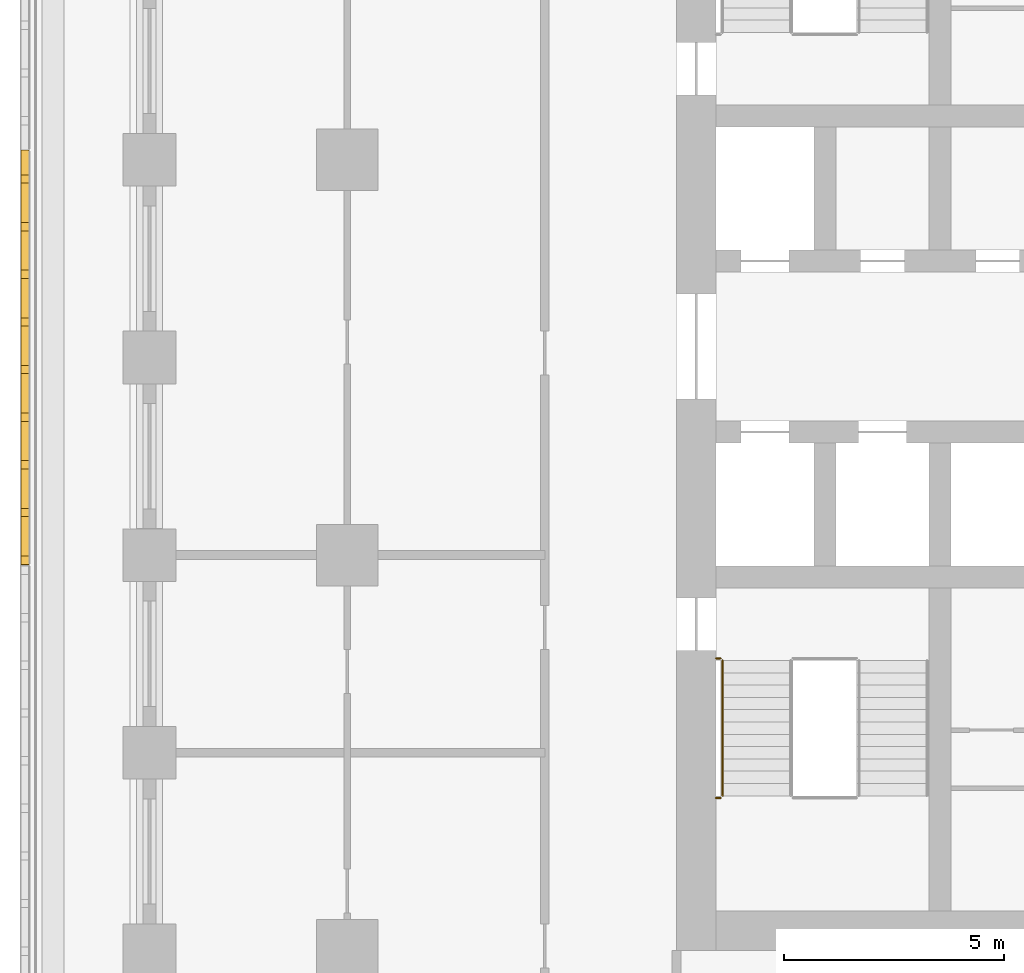
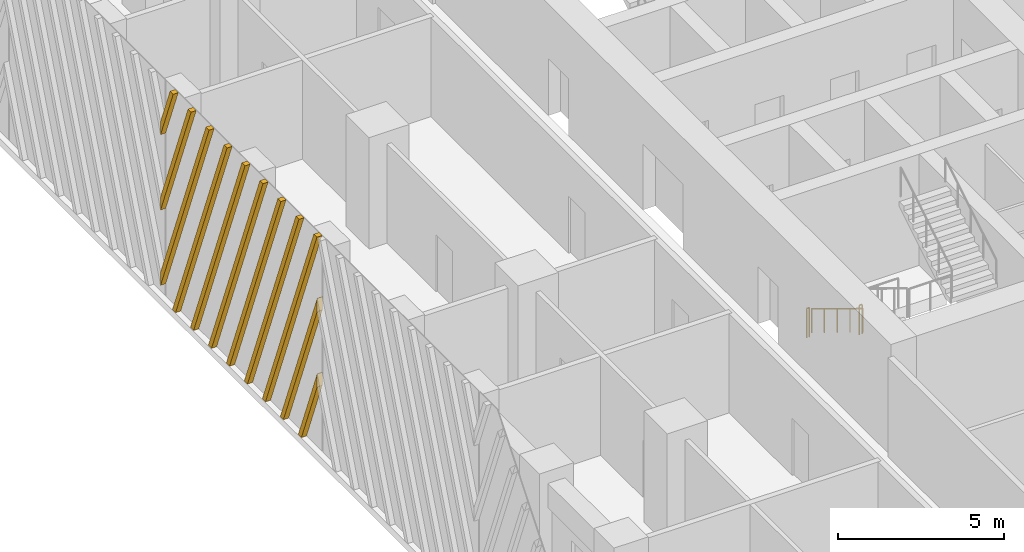
# One storey, part 12 of 20: 3 railings, 1 shading device.
"""IFC4 building model written with IfcOpenShell, lengths in metres."""

from ifc_helpers import new_model, si_unit, direction, frame, origin, origin_2d, place, context, subcontext, project, spatial, polyline, circle, outline, extrude, source, transform, mapped, material, type_object, element, save


model = new_model("IFC4")

# Units and contexts
model_context = context("Model", 3, precision=1e-05, world=origin(), true_north=direction((0.0, 1.0)))
body_context = subcontext(model_context, "Body", "Model", "MODEL_VIEW")
ifc_project = project(units=[si_unit("LENGTHUNIT", "METRE"), si_unit("AREAUNIT", "SQUARE_METRE"), si_unit("VOLUMEUNIT", "CUBIC_METRE"), si_unit("PLANEANGLEUNIT", "RADIAN"), si_unit("MASSUNIT", "GRAM", prefix="KILO")], contexts=[model_context])

# Site, building, storey
site_placement = place(None, origin())
site = spatial("IfcSite", under=ifc_project, at=site_placement, CompositionType="ELEMENT")
building_placement = place(site_placement, origin())
building = spatial("IfcBuilding", under=site, at=building_placement, Name="Corbel Stack Research Tower", CompositionType="ELEMENT")
storey_placement = place(building_placement, frame((0.0, 0.0, 98.39990234375)))
storey = spatial("IfcBuildingStorey", under=building, at=storey_placement, Name="L22", CompositionType="ELEMENT", Elevation=98.39990234375)

# Railings
ifc_material_1 = material(Name="Steel S355", Category="steel")
railing_type_1 = type_object("IfcRailingType", Name="Stair guard 1100", PredefinedType="GUARDRAIL", material=ifc_material_1)
for number, where, name in (
    (1, (-9.60009765625, -5.530029296875, 2.050048828125), "L22 ST-W1 stair guard 3"),
    (2, (-9.60009765625, -2.35009765625, 0.0), "L22 ST-W1 stair guard 6"),
):
    element("IfcRailing", number, at=place(storey_placement, frame(where)), inside=storey, type_object=railing_type_1, Name=name, PredefinedType="GUARDRAIL", context=body_context, shape_type="SweptSolid", body=[
        extrude(circle(Radius=0.02392578125, at=origin_2d()), frame((0.0, 0.0, 1.076171875), z_axis=(1.0, 0.0, 0.0), x_axis=(0.0, 1.0, 0.0)), (0.0, 0.0, 1.0), 0.10009765625),
        extrude(circle(Radius=0.02099609375, at=origin_2d()), origin(), (0.0, 0.0, 1.0), 1.052001953125),
        extrude(circle(Radius=0.02099609375, at=origin_2d()), frame((0.10009765625, 0.0, 0.0)), (0.0, 0.0, 1.0), 1.052001953125),
    ])
ifc_material_2 = material(Name="Steel S355", Category="steel")
railing_type_2 = type_object("IfcRailingType", Name="Stair handrail 900", PredefinedType="HANDRAIL", material=ifc_material_2)
railing_placement = place(storey_placement, frame((-9.449951171875, -2.39990234375, 0.1708984375)))
element("IfcRailing", 3, at=railing_placement, inside=storey, type_object=railing_type_2, Name="L22 ST-W1 stair handrail 1", PredefinedType="HANDRAIL", context=body_context, shape_type="SweptSolid", body=[
    extrude(circle(Radius=0.02392578125, at=origin_2d()), frame((0.0, 0.0, 0.8759765625), z_axis=(0.0, -0.853666305674, 0.52082035152), x_axis=(1.0, 0.0, 0.0)), (0.0, 0.0, 1.0), 3.608154296875),
    extrude(circle(Radius=0.02099609375, at=origin_2d()), origin(), (0.0, 0.0, 1.0), 0.851806640625),
    extrude(circle(Radius=0.02099609375, at=origin_2d()), frame((0.0, -0.77001953125, 0.4697265625)), (0.0, 0.0, 1.0), 0.851806640625),
    extrude(circle(Radius=0.02099609375, at=origin_2d()), frame((0.0, -1.5400390625, 0.939453125)), (0.0, 0.0, 1.0), 0.851806640625),
    extrude(circle(Radius=0.02099609375, at=origin_2d()), frame((0.0, -2.31005859375, 1.409423828125)), (0.0, 0.0, 1.0), 0.851806640625),
    extrude(circle(Radius=0.02099609375, at=origin_2d()), frame((0.0, -3.080078125, 1.879150390625)), (0.0, 0.0, 1.0), 0.851806640625),
])

# Shading device
ifc_material_3 = material(Name="Precast terracotta", Category="masonry")
shading_device_type = type_object("IfcShadingDeviceType", Name="Terracotta screen panel", PredefinedType="USERDEFINED", material=ifc_material_3)
shared_shape = source(origin(), body_context, "Body", "SweptSolid", [
    extrude(outline(polyline([(0.759521484375, 7.949951171875), (0.5693359375, 7.949951171875), (0.0, 6.4921875), (0.0, 6.005615234375), (0.759521484375, 7.949951171875)])), frame((0.0, 0.0, 0.0), z_axis=(0.0, -1.0, 0.0), x_axis=(1.0, 0.0, 0.0)), (0.0, 0.0, 1.0), 0.179931640625),
    extrude(outline(polyline([(1.843994140625, 7.949951171875), (1.654052734375, 7.949951171875), (0.0, 3.71484375), (0.0, 3.228515625), (1.843994140625, 7.949951171875)])), frame((0.0, 0.0, 0.0), z_axis=(0.0, -1.0, 0.0), x_axis=(1.0, 0.0, 0.0)), (0.0, 0.0, 1.0), 0.179931640625),
    extrude(outline(polyline([(2.9287109375, 7.949951171875), (2.73876953125, 7.949951171875), (0.0, 0.9375), (0.0, 0.451171875), (2.9287109375, 7.949951171875)])), frame((0.0, 0.0, 0.0), z_axis=(0.0, -1.0, 0.0), x_axis=(1.0, 0.0, 0.0)), (0.0, 0.0, 1.0), 0.179931640625),
    extrude(outline(polyline([(0.908447265625, 0.0), (4.013427734375, 7.949951171875), (3.823486328125, 7.949951171875), (0.718505859375, 0.0), (0.908447265625, 0.0)])), frame((0.0, 0.0, 0.0), z_axis=(0.0, -1.0, 0.0), x_axis=(1.0, 0.0, 0.0)), (0.0, 0.0, 1.0), 0.179931640625),
    extrude(outline(polyline([(1.9931640625, 0.0), (5.097900390625, 7.949951171875), (4.907958984375, 7.949951171875), (1.80322265625, 0.0), (1.9931640625, 0.0)])), frame((0.0, 0.0, 0.0), z_axis=(0.0, -1.0, 0.0), x_axis=(1.0, 0.0, 0.0)), (0.0, 0.0, 1.0), 0.179931640625),
    extrude(outline(polyline([(3.077880859375, 0.0), (6.1826171875, 7.949951171875), (5.99267578125, 7.949951171875), (2.8876953125, 0.0), (3.077880859375, 0.0)])), frame((0.0, 0.0, 0.0), z_axis=(0.0, -1.0, 0.0), x_axis=(1.0, 0.0, 0.0)), (0.0, 0.0, 1.0), 0.179931640625),
    extrude(outline(polyline([(4.16259765625, 0.0), (7.267333984375, 7.949951171875), (7.077392578125, 7.949951171875), (3.972412109375, 0.0), (4.16259765625, 0.0)])), frame((0.0, 0.0, 0.0), z_axis=(0.0, -1.0, 0.0), x_axis=(1.0, 0.0, 0.0)), (0.0, 0.0, 1.0), 0.179931640625),
    extrude(outline(polyline([(5.247314453125, 0.0), (8.35205078125, 7.949951171875), (8.162109375, 7.949951171875), (5.05712890625, 0.0), (5.247314453125, 0.0)])), frame((0.0, 0.0, 0.0), z_axis=(0.0, -1.0, 0.0), x_axis=(1.0, 0.0, 0.0)), (0.0, 0.0, 1.0), 0.179931640625),
    extrude(outline(polyline([(6.331787109375, 0.0), (9.436767578125, 7.949951171875), (9.24658203125, 7.949951171875), (6.141845703125, 0.0), (6.331787109375, 0.0)])), frame((0.0, 0.0, 0.0), z_axis=(0.0, -1.0, 0.0), x_axis=(1.0, 0.0, 0.0)), (0.0, 0.0, 1.0), 0.179931640625),
    extrude(outline(polyline([(7.41650390625, 0.0), (9.45556640625, 5.22119140625), (9.45556640625, 5.707763671875), (7.2265625, 0.0), (7.41650390625, 0.0)])), frame((0.0, 0.0, 0.0), z_axis=(0.0, -1.0, 0.0), x_axis=(1.0, 0.0, 0.0)), (0.0, 0.0, 1.0), 0.179931640625),
    extrude(outline(polyline([(8.501220703125, 0.0), (9.45556640625, 2.44384765625), (9.45556640625, 2.930419921875), (8.311279296875, 0.0), (8.501220703125, 0.0)])), frame((0.0, 0.0, 0.0), z_axis=(0.0, -1.0, 0.0), x_axis=(1.0, 0.0, 0.0)), (0.0, 0.0, 1.0), 0.179931640625),
])
shading_device_placement = place(storey_placement, frame((-25.25, 9.227783203125, 0.0), z_axis=(0.0, 0.0, 1.0), x_axis=(0.0, -1.0, 0.0)))
element("IfcShadingDevice", 4, at=shading_device_placement, inside=storey, type_object=shading_device_type, Name="Terracotta screen L22 W3", ObjectType="SCREEN", PredefinedType="USERDEFINED", context=body_context, shape_type="MappedRepresentation", body=[
    mapped(shared_shape, transform((0.0, 0.0, 0.0))),
])

save(model, "model.ifc")
